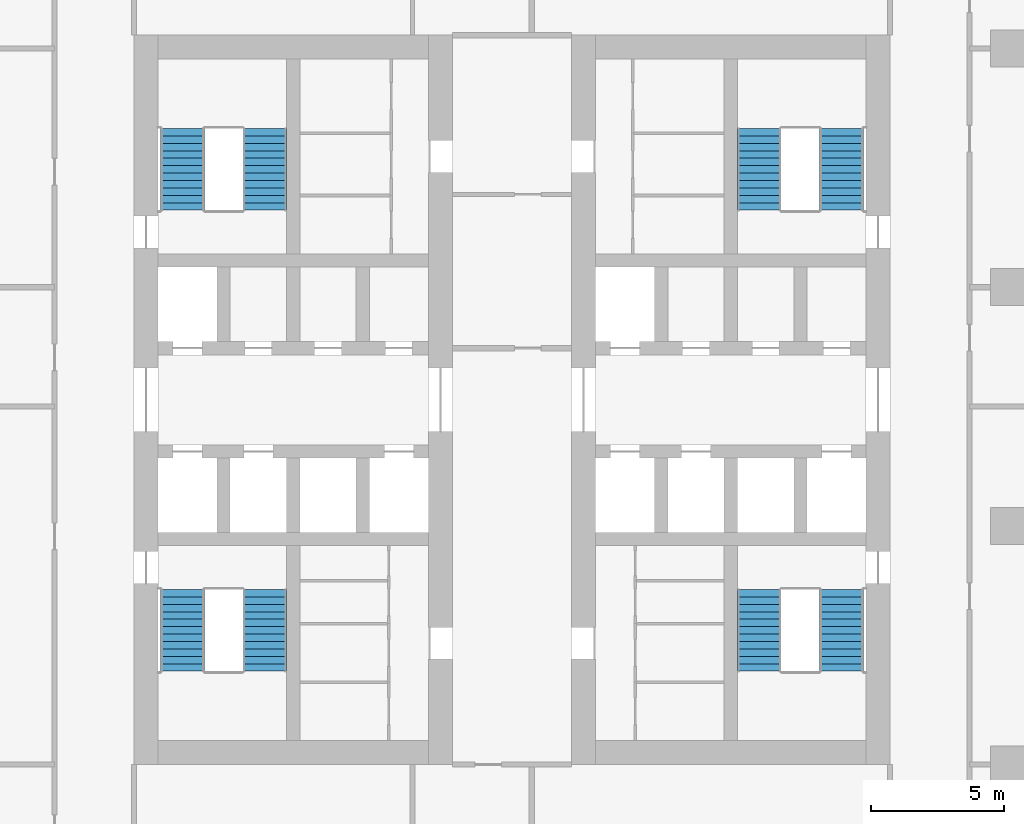
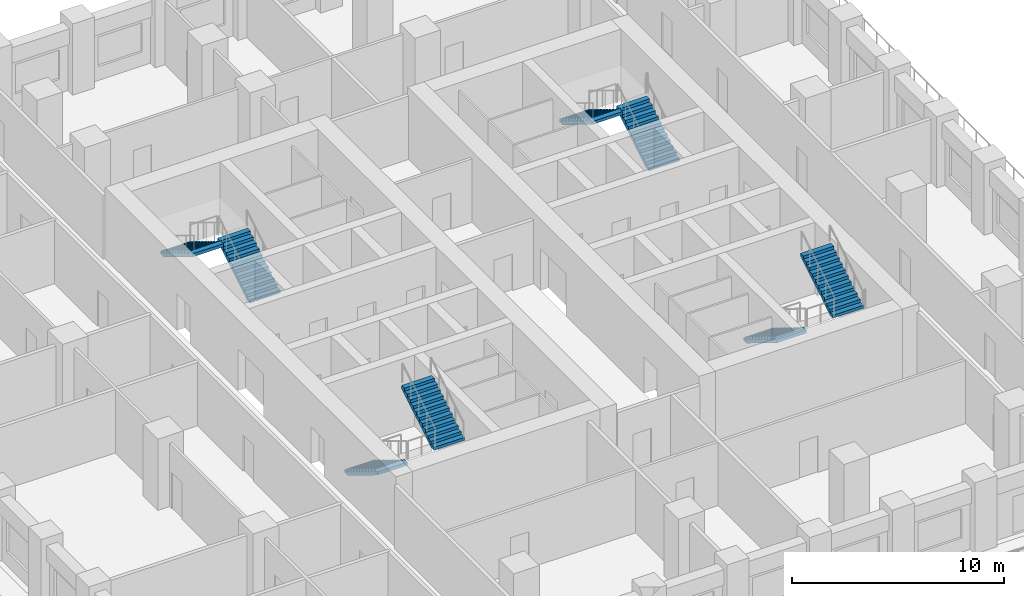
# One storey, part 9 of 17: 8 stair flights, 4 elements without a shape of their own.
"""IFC4 building model written with IfcOpenShell, lengths in metres."""

from ifc_helpers import new_model, si_unit, direction, frame, origin, place, context, subcontext, project, spatial, polyline, outline, extrude, material, type_object, element, aggregate, save


model = new_model("IFC4")

# Units and contexts
model_context = context("Model", 3, precision=1e-05, world=origin(), true_north=direction((0.0, 1.0)))
body_context = subcontext(model_context, "Body", "Model", "MODEL_VIEW")
ifc_project = project(units=[si_unit("LENGTHUNIT", "METRE"), si_unit("AREAUNIT", "SQUARE_METRE"), si_unit("VOLUMEUNIT", "CUBIC_METRE"), si_unit("PLANEANGLEUNIT", "RADIAN"), si_unit("MASSUNIT", "GRAM", prefix="KILO")], contexts=[model_context])

# Site, building, storey
site_placement = place(None, origin())
site = spatial("IfcSite", under=ifc_project, at=site_placement, CompositionType="ELEMENT")
building_placement = place(site_placement, origin())
building = spatial("IfcBuilding", under=site, at=building_placement, Name="Corbel Stack Research Tower", CompositionType="ELEMENT")
storey_placement = place(building_placement, frame((0.0, 0.0, 129.0)))
storey = spatial("IfcBuildingStorey", under=building, at=storey_placement, Name="L29", CompositionType="ELEMENT", Elevation=129.0)

# Stair, stair flights
ifc_material_1 = material(Name="Concrete C40/50", Category="concrete")
stair_type = type_object("IfcStairType", Name="Exit stair 24 risers", PredefinedType="HALF_TURN_STAIR", material=ifc_material_1)
stair_1_placement = place(storey_placement, origin())
stair_1 = element("IfcStair", 1, at=stair_1_placement, inside=storey, type_object=stair_type, Name="L29 Exit stair ST-W1", PredefinedType="HALF_TURN_STAIR")
ifc_material_2 = material(Name="Concrete C40/50", Category="concrete")
stair_flight_type = type_object("IfcStairFlightType", Name="Stair flight 12 risers", PredefinedType="STRAIGHT", material=ifc_material_2)
stair_flight_1_placement = place(storey_placement, frame((-8.675048828125, -2.39990234375, 0.0), z_axis=(0.0, 0.0, 1.0), x_axis=(0.0, -1.0, 0.0)))
stair_flight_1 = element("IfcStairFlight", 2, at=stair_flight_1_placement, type_object=stair_flight_type, Name="ST-W1 flight 1", NumberOfRisers=12, NumberOfTreads=11, PredefinedType="STRAIGHT", RiserHeight=0.170833333, TreadLength=0.28, context=body_context, shape_type="SweptSolid", body=[
    extrude(outline(polyline([(0.0, 0.0), (0.0, 0.1708984375), (0.280029296875, 0.1708984375), (0.280029296875, 0.341552734375), (0.56005859375, 0.341552734375), (0.56005859375, 0.512451171875), (0.840087890625, 0.512451171875), (0.840087890625, 0.683349609375), (1.1201171875, 0.683349609375), (1.1201171875, 0.854248046875), (1.39990234375, 0.854248046875), (1.39990234375, 1.02490234375), (1.679931640625, 1.02490234375), (1.679931640625, 1.19580078125), (1.9599609375, 1.19580078125), (1.9599609375, 1.36669921875), (2.239990234375, 1.36669921875), (2.239990234375, 1.53759765625), (2.52001953125, 1.53759765625), (2.52001953125, 1.708251953125), (2.800048828125, 1.708251953125), (2.800048828125, 1.879150390625), (3.080078125, 1.879150390625), (3.080078125, 2.050048828125), (3.080078125, 1.70361328125), (0.287841796875, 0.0), (0.0, 0.0)])), frame((0.0, 0.824951171875, 0.0), z_axis=(0.0, -1.0, 0.0), x_axis=(1.0, 0.0, 0.0)), (0.0, 0.0, 1.0), 1.64990234375),
])
stair_flight_2_placement = place(storey_placement, frame((-5.574951171875, -5.47998046875, 2.050048828125), z_axis=(0.0, 0.0, 1.0), x_axis=(0.0, 1.0, 0.0)))
stair_flight_2 = element("IfcStairFlight", 3, at=stair_flight_2_placement, type_object=stair_flight_type, Name="ST-W1 flight 2", NumberOfRisers=12, NumberOfTreads=11, PredefinedType="STRAIGHT", RiserHeight=0.170833333, TreadLength=0.28, context=body_context, shape_type="SweptSolid", body=[
    extrude(outline(polyline([(0.0, 0.0), (0.0, 0.1708984375), (0.280029296875, 0.1708984375), (0.280029296875, 0.341552734375), (0.56005859375, 0.341552734375), (0.56005859375, 0.512451171875), (0.840087890625, 0.512451171875), (0.840087890625, 0.683349609375), (1.1201171875, 0.683349609375), (1.1201171875, 0.854248046875), (1.39990234375, 0.854248046875), (1.39990234375, 1.02490234375), (1.679931640625, 1.02490234375), (1.679931640625, 1.19580078125), (1.9599609375, 1.19580078125), (1.9599609375, 1.36669921875), (2.239990234375, 1.36669921875), (2.239990234375, 1.53759765625), (2.52001953125, 1.53759765625), (2.52001953125, 1.708251953125), (2.800048828125, 1.708251953125), (2.800048828125, 1.879150390625), (3.080078125, 1.879150390625), (3.080078125, 2.050048828125), (3.080078125, 1.70361328125), (0.287841796875, 0.0), (0.0, 0.0)])), frame((0.0, 0.824951171875, 0.0), z_axis=(0.0, -1.0, 0.0), x_axis=(1.0, 0.0, 0.0)), (0.0, 0.0, 1.0), 1.64990234375),
])
aggregate(stair_1, [stair_flight_1, stair_flight_2])

stair_2_placement = place(storey_placement, origin())
stair_2 = element("IfcStair", 4, at=stair_2_placement, inside=storey, type_object=stair_type, Name="L29 Exit stair ST-W2", PredefinedType="HALF_TURN_STAIR")
stair_flight_3_placement = place(storey_placement, frame((-5.574951171875, 11.89990234375, 0.0), z_axis=(0.0, 0.0, 1.0), x_axis=(0.0, 1.0, 0.0)))
stair_flight_3 = element("IfcStairFlight", 5, at=stair_flight_3_placement, type_object=stair_flight_type, Name="ST-W2 flight 1", NumberOfRisers=12, NumberOfTreads=11, PredefinedType="STRAIGHT", RiserHeight=0.170833333, TreadLength=0.28, context=body_context, shape_type="SweptSolid", body=[
    extrude(outline(polyline([(0.0, 0.0), (0.0, 0.1708984375), (0.280029296875, 0.1708984375), (0.280029296875, 0.341552734375), (0.56005859375, 0.341552734375), (0.56005859375, 0.512451171875), (0.840087890625, 0.512451171875), (0.840087890625, 0.683349609375), (1.1201171875, 0.683349609375), (1.1201171875, 0.854248046875), (1.39990234375, 0.854248046875), (1.39990234375, 1.02490234375), (1.679931640625, 1.02490234375), (1.679931640625, 1.19580078125), (1.9599609375, 1.19580078125), (1.9599609375, 1.36669921875), (2.239990234375, 1.36669921875), (2.239990234375, 1.53759765625), (2.52001953125, 1.53759765625), (2.52001953125, 1.708251953125), (2.800048828125, 1.708251953125), (2.800048828125, 1.879150390625), (3.080078125, 1.879150390625), (3.080078125, 2.050048828125), (3.080078125, 1.70361328125), (0.287841796875, 0.0), (0.0, 0.0)])), frame((0.0, 0.824951171875, 0.0), z_axis=(0.0, -1.0, 0.0), x_axis=(1.0, 0.0, 0.0)), (0.0, 0.0, 1.0), 1.64990234375),
])
stair_flight_4_placement = place(storey_placement, frame((-8.675048828125, 14.97998046875, 2.050048828125), z_axis=(0.0, 0.0, 1.0), x_axis=(0.0, -1.0, 0.0)))
stair_flight_4 = element("IfcStairFlight", 6, at=stair_flight_4_placement, type_object=stair_flight_type, Name="ST-W2 flight 2", NumberOfRisers=12, NumberOfTreads=11, PredefinedType="STRAIGHT", RiserHeight=0.170833333, TreadLength=0.28, context=body_context, shape_type="SweptSolid", body=[
    extrude(outline(polyline([(0.0, 0.0), (0.0, 0.1708984375), (0.280029296875, 0.1708984375), (0.280029296875, 0.341552734375), (0.56005859375, 0.341552734375), (0.56005859375, 0.512451171875), (0.840087890625, 0.512451171875), (0.840087890625, 0.683349609375), (1.1201171875, 0.683349609375), (1.1201171875, 0.854248046875), (1.39990234375, 0.854248046875), (1.39990234375, 1.02490234375), (1.679931640625, 1.02490234375), (1.679931640625, 1.19580078125), (1.9599609375, 1.19580078125), (1.9599609375, 1.36669921875), (2.239990234375, 1.36669921875), (2.239990234375, 1.53759765625), (2.52001953125, 1.53759765625), (2.52001953125, 1.708251953125), (2.800048828125, 1.708251953125), (2.800048828125, 1.879150390625), (3.080078125, 1.879150390625), (3.080078125, 2.050048828125), (3.080078125, 1.70361328125), (0.287841796875, 0.0), (0.0, 0.0)])), frame((0.0, 0.824951171875, 0.0), z_axis=(0.0, -1.0, 0.0), x_axis=(1.0, 0.0, 0.0)), (0.0, 0.0, 1.0), 1.64990234375),
])
aggregate(stair_2, [stair_flight_3, stair_flight_4])

stair_3_placement = place(storey_placement, origin())
stair_3 = element("IfcStair", 7, at=stair_3_placement, inside=storey, type_object=stair_type, Name="L29 Exit stair ST-E1", PredefinedType="HALF_TURN_STAIR")
stair_flight_5_placement = place(storey_placement, frame((13.074951171875, -2.39990234375, 0.0), z_axis=(0.0, 0.0, 1.0), x_axis=(0.0, -1.0, 0.0)))
stair_flight_5 = element("IfcStairFlight", 8, at=stair_flight_5_placement, type_object=stair_flight_type, Name="ST-E1 flight 1", NumberOfRisers=12, NumberOfTreads=11, PredefinedType="STRAIGHT", RiserHeight=0.170833333, TreadLength=0.28, context=body_context, shape_type="SweptSolid", body=[
    extrude(outline(polyline([(0.0, 0.0), (0.0, 0.1708984375), (0.280029296875, 0.1708984375), (0.280029296875, 0.341552734375), (0.56005859375, 0.341552734375), (0.56005859375, 0.512451171875), (0.840087890625, 0.512451171875), (0.840087890625, 0.683349609375), (1.1201171875, 0.683349609375), (1.1201171875, 0.854248046875), (1.39990234375, 0.854248046875), (1.39990234375, 1.02490234375), (1.679931640625, 1.02490234375), (1.679931640625, 1.19580078125), (1.9599609375, 1.19580078125), (1.9599609375, 1.36669921875), (2.239990234375, 1.36669921875), (2.239990234375, 1.53759765625), (2.52001953125, 1.53759765625), (2.52001953125, 1.708251953125), (2.800048828125, 1.708251953125), (2.800048828125, 1.879150390625), (3.080078125, 1.879150390625), (3.080078125, 2.050048828125), (3.080078125, 1.70361328125), (0.287841796875, 0.0), (0.0, 0.0)])), frame((0.0, 0.824951171875, 0.0), z_axis=(0.0, -1.0, 0.0), x_axis=(1.0, 0.0, 0.0)), (0.0, 0.0, 1.0), 1.64990234375),
])
stair_flight_6_placement = place(storey_placement, frame((16.175048828125, -5.47998046875, 2.050048828125), z_axis=(0.0, 0.0, 1.0), x_axis=(0.0, 1.0, 0.0)))
stair_flight_6 = element("IfcStairFlight", 9, at=stair_flight_6_placement, type_object=stair_flight_type, Name="ST-E1 flight 2", NumberOfRisers=12, NumberOfTreads=11, PredefinedType="STRAIGHT", RiserHeight=0.170833333, TreadLength=0.28, context=body_context, shape_type="SweptSolid", body=[
    extrude(outline(polyline([(0.0, 0.0), (0.0, 0.1708984375), (0.280029296875, 0.1708984375), (0.280029296875, 0.341552734375), (0.56005859375, 0.341552734375), (0.56005859375, 0.512451171875), (0.840087890625, 0.512451171875), (0.840087890625, 0.683349609375), (1.1201171875, 0.683349609375), (1.1201171875, 0.854248046875), (1.39990234375, 0.854248046875), (1.39990234375, 1.02490234375), (1.679931640625, 1.02490234375), (1.679931640625, 1.19580078125), (1.9599609375, 1.19580078125), (1.9599609375, 1.36669921875), (2.239990234375, 1.36669921875), (2.239990234375, 1.53759765625), (2.52001953125, 1.53759765625), (2.52001953125, 1.708251953125), (2.800048828125, 1.708251953125), (2.800048828125, 1.879150390625), (3.080078125, 1.879150390625), (3.080078125, 2.050048828125), (3.080078125, 1.70361328125), (0.287841796875, 0.0), (0.0, 0.0)])), frame((0.0, 0.824951171875, 0.0), z_axis=(0.0, -1.0, 0.0), x_axis=(1.0, 0.0, 0.0)), (0.0, 0.0, 1.0), 1.64990234375),
])
aggregate(stair_3, [stair_flight_5, stair_flight_6])

stair_4_placement = place(storey_placement, origin())
stair_4 = element("IfcStair", 10, at=stair_4_placement, inside=storey, type_object=stair_type, Name="L29 Exit stair ST-E2", PredefinedType="HALF_TURN_STAIR")
stair_flight_7_placement = place(storey_placement, frame((16.175048828125, 11.89990234375, 0.0), z_axis=(0.0, 0.0, 1.0), x_axis=(0.0, 1.0, 0.0)))
stair_flight_7 = element("IfcStairFlight", 11, at=stair_flight_7_placement, type_object=stair_flight_type, Name="ST-E2 flight 1", NumberOfRisers=12, NumberOfTreads=11, PredefinedType="STRAIGHT", RiserHeight=0.170833333, TreadLength=0.28, context=body_context, shape_type="SweptSolid", body=[
    extrude(outline(polyline([(0.0, 0.0), (0.0, 0.1708984375), (0.280029296875, 0.1708984375), (0.280029296875, 0.341552734375), (0.56005859375, 0.341552734375), (0.56005859375, 0.512451171875), (0.840087890625, 0.512451171875), (0.840087890625, 0.683349609375), (1.1201171875, 0.683349609375), (1.1201171875, 0.854248046875), (1.39990234375, 0.854248046875), (1.39990234375, 1.02490234375), (1.679931640625, 1.02490234375), (1.679931640625, 1.19580078125), (1.9599609375, 1.19580078125), (1.9599609375, 1.36669921875), (2.239990234375, 1.36669921875), (2.239990234375, 1.53759765625), (2.52001953125, 1.53759765625), (2.52001953125, 1.708251953125), (2.800048828125, 1.708251953125), (2.800048828125, 1.879150390625), (3.080078125, 1.879150390625), (3.080078125, 2.050048828125), (3.080078125, 1.70361328125), (0.287841796875, 0.0), (0.0, 0.0)])), frame((0.0, 0.824951171875, 0.0), z_axis=(0.0, -1.0, 0.0), x_axis=(1.0, 0.0, 0.0)), (0.0, 0.0, 1.0), 1.64990234375),
])
stair_flight_8_placement = place(storey_placement, frame((13.074951171875, 14.97998046875, 2.050048828125), z_axis=(0.0, 0.0, 1.0), x_axis=(0.0, -1.0, 0.0)))
stair_flight_8 = element("IfcStairFlight", 12, at=stair_flight_8_placement, type_object=stair_flight_type, Name="ST-E2 flight 2", NumberOfRisers=12, NumberOfTreads=11, PredefinedType="STRAIGHT", RiserHeight=0.170833333, TreadLength=0.28, context=body_context, shape_type="SweptSolid", body=[
    extrude(outline(polyline([(0.0, 0.0), (0.0, 0.1708984375), (0.280029296875, 0.1708984375), (0.280029296875, 0.341552734375), (0.56005859375, 0.341552734375), (0.56005859375, 0.512451171875), (0.840087890625, 0.512451171875), (0.840087890625, 0.683349609375), (1.1201171875, 0.683349609375), (1.1201171875, 0.854248046875), (1.39990234375, 0.854248046875), (1.39990234375, 1.02490234375), (1.679931640625, 1.02490234375), (1.679931640625, 1.19580078125), (1.9599609375, 1.19580078125), (1.9599609375, 1.36669921875), (2.239990234375, 1.36669921875), (2.239990234375, 1.53759765625), (2.52001953125, 1.53759765625), (2.52001953125, 1.708251953125), (2.800048828125, 1.708251953125), (2.800048828125, 1.879150390625), (3.080078125, 1.879150390625), (3.080078125, 2.050048828125), (3.080078125, 1.70361328125), (0.287841796875, 0.0), (0.0, 0.0)])), frame((0.0, 0.824951171875, 0.0), z_axis=(0.0, -1.0, 0.0), x_axis=(1.0, 0.0, 0.0)), (0.0, 0.0, 1.0), 1.64990234375),
])
aggregate(stair_4, [stair_flight_7, stair_flight_8])

save(model, "model.ifc")
